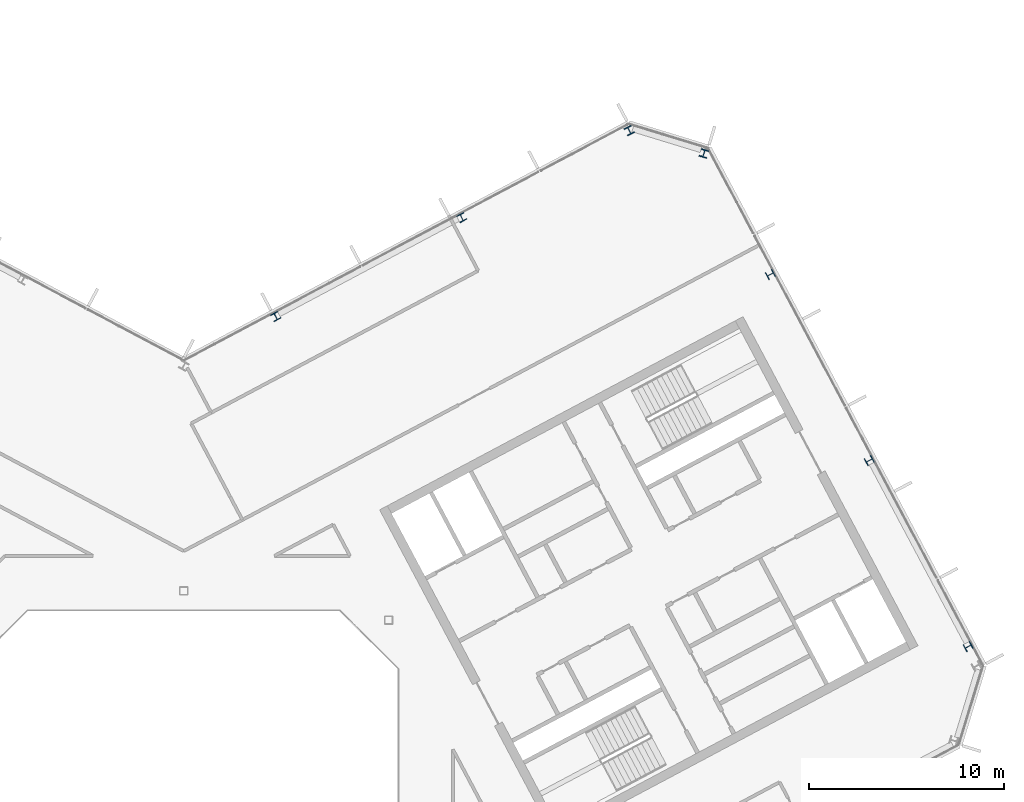
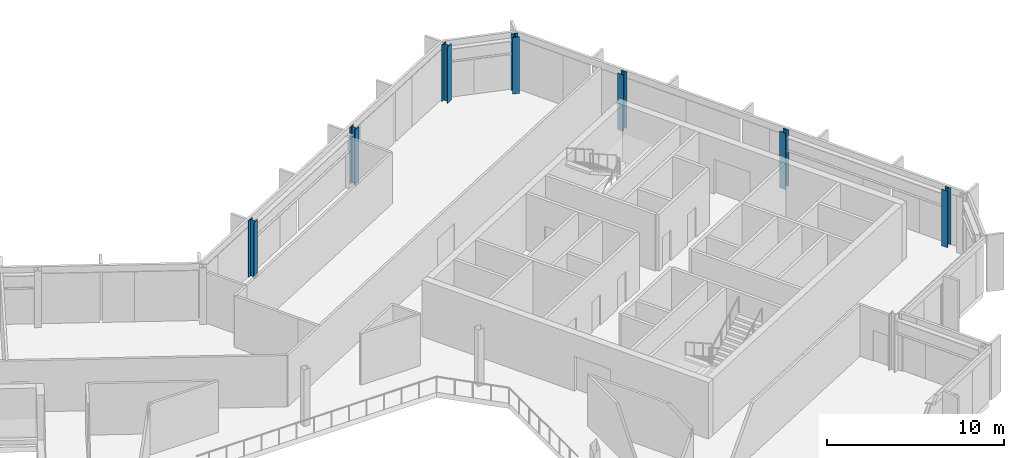
# One storey, part 7 of 26: 7 columns.
"""IFC4 building model written with IfcOpenShell, lengths in metres."""

from ifc_helpers import new_model, si_unit, direction, frame, origin, origin_2d, place, context, subcontext, project, spatial, i_section, extrude, material, material_profile, profile_set, type_object, element, save


model = new_model("IFC4")

# Units and contexts
model_context = context("Model", 3, precision=1e-05, world=origin(), true_north=direction((0.0, 1.0)))
body_context = subcontext(model_context, "Body", "Model", "MODEL_VIEW")
ifc_project = project(units=[si_unit("LENGTHUNIT", "METRE"), si_unit("AREAUNIT", "SQUARE_METRE"), si_unit("VOLUMEUNIT", "CUBIC_METRE"), si_unit("PLANEANGLEUNIT", "RADIAN"), si_unit("MASSUNIT", "GRAM", prefix="KILO")], contexts=[model_context])

# Site, building, storey
site_placement = place(None, origin())
site = spatial("IfcSite", under=ifc_project, at=site_placement, CompositionType="ELEMENT")
building_placement = place(site_placement, origin())
building = spatial("IfcBuilding", under=site, at=building_placement, Name="Cormorant Relay Tower", CompositionType="ELEMENT")
storey_placement = place(building_placement, frame((0.0, 0.0, 304.800048828125)))
storey = spatial("IfcBuildingStorey", under=building, at=storey_placement, Name="L69", CompositionType="ELEMENT", Elevation=304.800048828125)

# Columns
ifc_material_1 = material(Name="Steel ASTM A992 (Fy 345 MPa)", Category="steel")
ifc_material_profile_1 = material_profile(ifc_material_1, i_section(OverallWidth=0.398681640625, OverallDepth=0.385986328125, WebThickness=0.02099609375, FlangeThickness=0.033203125, FilletRadius=0.01513671875, at=origin_2d()), Name="W360x262")
ifc_profile_set_1 = profile_set([ifc_material_profile_1], Name="Steel ASTM A992 (Fy 345 MPa)")
column_type_1 = type_object("IfcColumnType", Name="Column W360x262", PredefinedType="COLUMN", material=ifc_profile_set_1)
for number, where, z_axis, x_axis, name in (
    (1, (40.2119140625, 9.14892578125, 0.0), (0.0, 0.0, 1.0), (-0.469471562786, 0.882947592859, 0.0), "Column L69-021"),
    (2, (35.14111328125, 18.68505859375, 0.0), (0.0, 0.0, 1.0), (-0.469471562786, 0.882947592859, 0.0), "Column L69-027"),
    (3, (4.715087890625, 26.06494140625, 0.0), (0.0, 0.0, 1.0), (-0.882947592859, -0.469471562786, 0.0), "Column L69-031"),
    (4, (30.071044921875, 28.220947265625, 0.0), (0.0, 0.0, 1.0), (-0.469471562786, 0.882947592859, 0.0), "Column L69-033"),
    (5, (14.2509765625, 31.135009765625, 0.0), (0.0, 0.0, 1.0), (-0.882947592859, -0.469471562786, 0.0), "Column L69-035"),
):
    element("IfcColumn", number, at=place(storey_placement, frame(where, z_axis=z_axis, x_axis=x_axis)), inside=storey, type_object=column_type_1, Name=name, PredefinedType="COLUMN", context=body_context, shape_type="SweptSolid", body=[
        extrude(i_section(OverallWidth=0.398681640625, OverallDepth=0.385986328125, WebThickness=0.02099609375, FlangeThickness=0.033203125, FilletRadius=0.01513671875, at=origin_2d()), origin(), (0.0, 0.0, 1.0), 3.89990234375),
    ])
ifc_material_2 = material(Name="Steel ASTM A992 (Fy 345 MPa)", Category="steel")
ifc_material_profile_2 = material_profile(ifc_material_2, i_section(OverallWidth=0.40380859375, OverallDepth=0.406494140625, WebThickness=0.027099609375, FlangeThickness=0.043701171875, FilletRadius=0.01513671875, at=origin_2d()), Name="W360x347")
ifc_profile_set_2 = profile_set([ifc_material_profile_2], Name="Steel ASTM A992 (Fy 345 MPa)")
column_type_2 = type_object("IfcColumnType", Name="Column W360x347", PredefinedType="COLUMN", material=ifc_profile_set_2)
for number, where, z_axis, x_axis, name in (
    (6, (26.6640625, 34.425048828125, 0.0), (0.0, 0.0, 1.0), (-0.956304755963, 0.292371704723, 0.0), "Column L69-038"),
    (7, (22.841064453125, 35.593994140625, 0.0), (0.0, 0.0, 1.0), (-0.882947592859, -0.469471562786, 0.0), "Column L69-039"),
):
    element("IfcColumn", number, at=place(storey_placement, frame(where, z_axis=z_axis, x_axis=x_axis)), inside=storey, type_object=column_type_2, Name=name, PredefinedType="COLUMN", context=body_context, shape_type="SweptSolid", body=[
        extrude(i_section(OverallWidth=0.40380859375, OverallDepth=0.406494140625, WebThickness=0.027099609375, FlangeThickness=0.043701171875, FilletRadius=0.01513671875, at=origin_2d()), origin(), (0.0, 0.0, 1.0), 3.89990234375),
    ])

save(model, "model.ifc")
